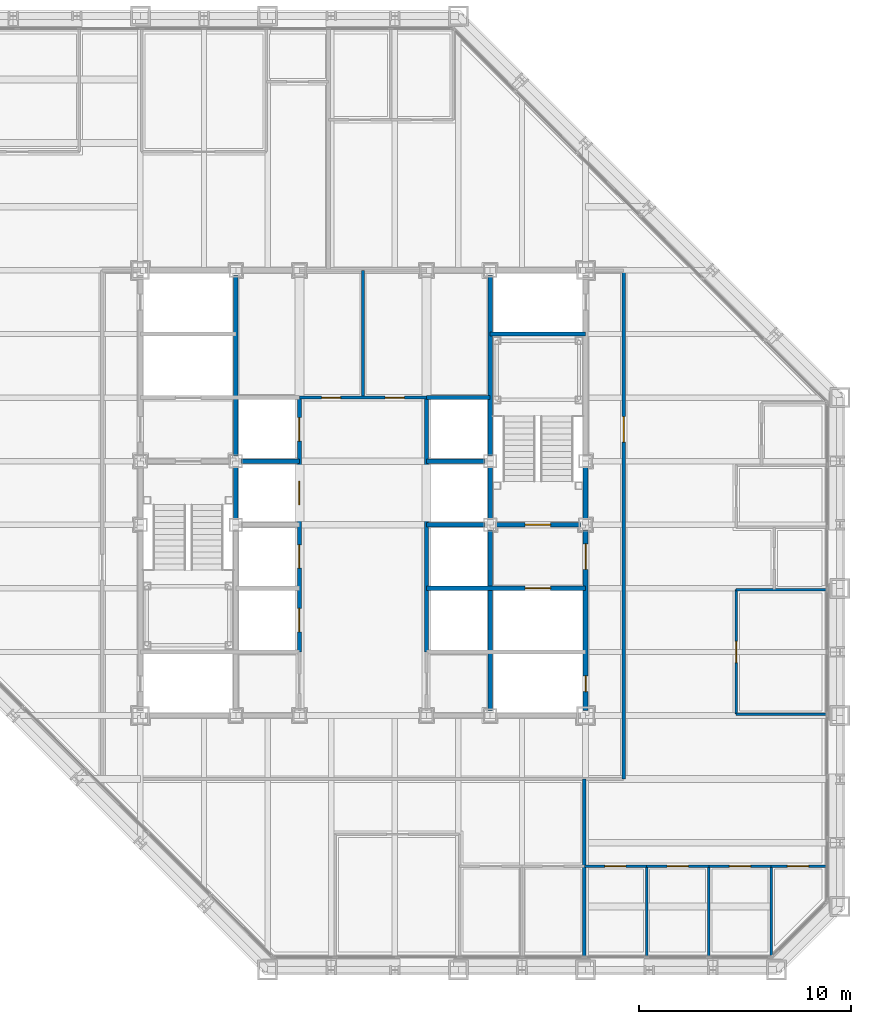
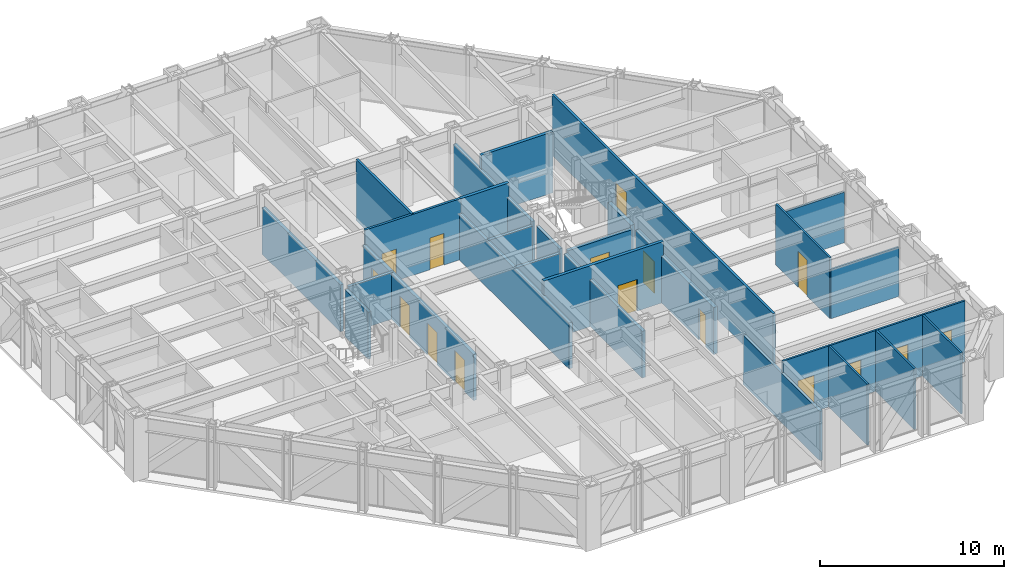
# One storey, part 11 of 16: 30 walls, 16 doors, 16 openings.
"""IFC4 building model written with IfcOpenShell, lengths in metres."""

from ifc_helpers import new_model, si_unit, direction, frame, frame_2d, origin, place, context, subcontext, project, spatial, rectangle, extrude, material, layer, layer_set, type_object, element, fill, save


model = new_model("IFC4")

# Units and contexts
model_context = context("Model", 3, precision=1e-05, world=origin(), true_north=direction((0.0, 1.0)))
body_context = subcontext(model_context, "Body", "Model", "MODEL_VIEW")
ifc_project = project(units=[si_unit("LENGTHUNIT", "METRE"), si_unit("AREAUNIT", "SQUARE_METRE"), si_unit("VOLUMEUNIT", "CUBIC_METRE"), si_unit("PLANEANGLEUNIT", "RADIAN"), si_unit("MASSUNIT", "GRAM", prefix="KILO")], contexts=[model_context])

# Site, building, storey
site_placement = place(None, origin())
site = spatial("IfcSite", under=ifc_project, at=site_placement, CompositionType="ELEMENT")
building_placement = place(site_placement, origin())
building = spatial("IfcBuilding", under=site, at=building_placement, Name="Chuquiago Exchange Tower", CompositionType="ELEMENT")
storey_placement = place(building_placement, frame((0.0, 0.0, 157.199951171875)))
storey = spatial("IfcBuildingStorey", under=building, at=storey_placement, Name="L34", CompositionType="ELEMENT", Elevation=157.199951171875)

# Wall, openings, doors
ifc_material_1 = material(Name="Concrete masonry, fully grouted", Category="masonry")
ifc_layer_1 = layer(ifc_material_1, 0.25)
ifc_layer_set_1 = layer_set([ifc_layer_1], Name="W1 core wall 250")
wall_type_1 = type_object("IfcWallType", Name="W1 core wall 250", PredefinedType="SOLIDWALL", material=ifc_layer_set_1)
wall_1_placement = place(storey_placement, frame((33.0, 12.25, 0.0), z_axis=(0.0, 0.0, 1.0), x_axis=(0.0, 1.0, 0.0)))
wall_1 = element("IfcWall", 1, at=wall_1_placement, inside=storey, type_object=wall_type_1, Name="CW-L34-25-0", PredefinedType="SOLIDWALL", context=body_context, shape_type="SweptSolid", body=[
    extrude(rectangle(XDim=8.5, YDim=0.25, at=frame_2d((4.25, 0.0))), origin(), (0.0, 0.0, 1.0), 3.113037109375),
])
opening_1_placement = place(wall_1_placement, frame((6.64990234375, 0.0, 0.0)))
opening_1 = element("IfcOpeningElement", 2, at=opening_1_placement, cuts=wall_1, Name="Opening L34-004", PredefinedType="OPENING", context=body_context, shape_type="SweptSolid", body=[
    extrude(rectangle(XDim=1.199951171875, YDim=2.10009765625, at=frame_2d((0.60009765625, 1.050048828125))), frame((0.0, 0.135009765625, 0.0), z_axis=(0.0, -1.0, 0.0), x_axis=(1.0, 0.0, 0.0)), (0.0, 0.0, 1.0), 0.27001953125),
])
opening_2_placement = place(wall_1_placement, frame((0.875, 0.0, 0.0)))
opening_2 = element("IfcOpeningElement", 3, at=opening_2_placement, cuts=wall_1, Name="Opening L34-009", PredefinedType="OPENING", context=body_context, shape_type="SweptSolid", body=[
    extrude(rectangle(XDim=0.75, YDim=2.10009765625, at=frame_2d((0.375, 1.050048828125))), frame((0.0, 0.135009765625, 0.0), z_axis=(0.0, -1.0, 0.0), x_axis=(1.0, 0.0, 0.0)), (0.0, 0.0, 1.0), 0.27001953125),
])
ifc_material_2 = material(Name="Steel door, painted", Category="steel")
door_type_1 = type_object("IfcDoorType", Name="D5 firefighting lobby door 1200x2100", OperationType="SINGLE_SWING_LEFT", PredefinedType="DOOR", material=ifc_material_2)
door_1_placement = place(opening_1_placement, origin())
door_1 = element("IfcDoor", 4, at=door_1_placement, inside=storey, type_object=door_type_1, Name="Firefighting lobby 2 door", OperationType="SINGLE_SWING_RIGHT", OverallHeight=2.10009765625, OverallWidth=1.199951171875, PredefinedType="DOOR", context=body_context, shape_type="SweptSolid", body=[
    extrude(rectangle(XDim=1.199951171875, YDim=2.10009765625, at=frame_2d((0.60009765625, 1.050048828125))), frame((0.0, 0.02490234375, 0.0), z_axis=(0.0, -1.0, 0.0), x_axis=(1.0, 0.0, 0.0)), (0.0, 0.0, 1.0), 0.050048828125),
])
fill(opening_1, door_1)
ifc_material_3 = material(Name="Steel door, painted", Category="steel")
door_type_2 = type_object("IfcDoorType", Name="D6 riser access door 750x2100", OperationType="SINGLE_SWING_LEFT", PredefinedType="DOOR", material=ifc_material_3)
door_2_placement = place(opening_2_placement, origin())
door_2 = element("IfcDoor", 5, at=door_2_placement, inside=storey, type_object=door_type_2, Name="Riser RE1 door", OperationType="SINGLE_SWING_LEFT", OverallHeight=2.10009765625, OverallWidth=0.75, PredefinedType="DOOR", context=body_context, shape_type="SweptSolid", body=[
    extrude(rectangle(XDim=0.75, YDim=2.10009765625, at=frame_2d((0.375, 1.050048828125))), frame((0.0, 0.02490234375, 0.0), z_axis=(0.0, -1.0, 0.0), x_axis=(1.0, 0.0, 0.0)), (0.0, 0.0, 1.0), 0.050048828125),
])
fill(opening_2, door_2)

# Wall
wall_2_placement = place(storey_placement, frame((33.0, 21.25, 0.0), z_axis=(0.0, 0.0, 1.0), x_axis=(0.0, 1.0, 0.0)))
element("IfcWall", 6, at=wall_2_placement, inside=storey, type_object=wall_type_1, Name="CW-L34-25-1", PredefinedType="SOLIDWALL", context=body_context, shape_type="SweptSolid", body=[
    extrude(rectangle(XDim=2.5, YDim=0.25, at=frame_2d((1.25, 0.0))), origin(), (0.0, 0.0, 1.0), 3.113037109375),
])

# Wall, opening, door
ifc_material_4 = material(Name="Gypsum board on steel studs, acoustic insulation", Category="steel")
ifc_layer_2 = layer(ifc_material_4, 0.14990234375)
ifc_layer_set_2 = layer_set([ifc_layer_2], Name="W11 corridor wall 150")
wall_type_2 = type_object("IfcWallType", Name="W11 corridor wall 150", PredefinedType="PARTITIONING", material=ifc_layer_set_2)
wall_3_placement = place(storey_placement, frame((34.800048828125, 9.0, 0.0), z_axis=(0.0, 0.0, 1.0), x_axis=(0.0, 1.0, 0.0)))
wall_3 = element("IfcWall", 7, at=wall_3_placement, inside=storey, type_object=wall_type_2, Name="PW-L34-CE", PredefinedType="PARTITIONING", context=body_context, shape_type="SweptSolid", body=[
    extrude(rectangle(XDim=24.0, YDim=0.14990234375, at=frame_2d((12.0, 0.0))), origin(), (0.0, 0.0, 1.0), 4.0400390625),
])
opening_3_placement = place(wall_3_placement, frame((15.89990234375, 0.0, 0.0)))
opening_3 = element("IfcOpeningElement", 8, at=opening_3_placement, cuts=wall_3, Name="Opening L34-041", PredefinedType="OPENING", context=body_context, shape_type="SweptSolid", body=[
    extrude(rectangle(XDim=1.199951171875, YDim=2.39990234375, at=frame_2d((0.60009765625, 1.199951171875))), frame((0.0, 0.0849609375, 0.0), z_axis=(0.0, -1.0, 0.0), x_axis=(1.0, 0.0, 0.0)), (0.0, 0.0, 1.0), 0.169921875),
])
ifc_material_5 = material(Name="Timber door, laminate faced", Category="wood")
door_type_3 = type_object("IfcDoorType", Name="D13 suite entrance door 1200x2400", OperationType="SINGLE_SWING_LEFT", PredefinedType="DOOR", material=ifc_material_5)
door_3_placement = place(opening_3_placement, frame((1.199951171875, 0.0, 0.0), z_axis=(0.0, 0.0, 1.0), x_axis=(-1.0, 0.0, 0.0)))
door_3 = element("IfcDoor", 9, at=door_3_placement, inside=storey, type_object=door_type_3, Name="East suite entrance door", OperationType="SINGLE_SWING_LEFT", OverallHeight=2.39990234375, OverallWidth=1.199951171875, PredefinedType="DOOR", context=body_context, shape_type="SweptSolid", body=[
    extrude(rectangle(XDim=1.199951171875, YDim=2.39990234375, at=frame_2d((0.60009765625, 1.199951171875))), frame((0.0, 0.02490234375, 0.0), z_axis=(0.0, -1.0, 0.0), x_axis=(1.0, 0.0, 0.0)), (0.0, 0.0, 1.0), 0.050048828125),
])
fill(opening_3, door_3)

# Walls
ifc_material_6 = material(Name="Gypsum board on twin steel studs, acoustic insulation", Category="steel")
ifc_layer_3 = layer(ifc_material_6, 0.175048828125)
ifc_layer_set_3 = layer_set([ifc_layer_3], Name="W12 tenant demising wall 175")
wall_type_3 = type_object("IfcWallType", Name="W12 tenant demising wall 175", PredefinedType="PARTITIONING", material=ifc_layer_set_3)
wall_4_placement = place(storey_placement, frame((32.93798828125, 0.652587890625, 0.0), z_axis=(0.0, 0.0, 1.0), x_axis=(0.0, 1.0, 0.0)))
element("IfcWall", 10, at=wall_4_placement, inside=storey, type_object=wall_type_3, Name="PW-L34-DS03294", PredefinedType="PARTITIONING", context=body_context, shape_type="SweptSolid", body=[
    extrude(rectangle(XDim=8.347412109375, YDim=0.175048828125, at=frame_2d((4.173828125, 0.0))), origin(), (0.0, 0.0, 1.0), 3.2705078125),
])
ifc_material_7 = material(Name="Concrete masonry, fully grouted", Category="masonry")
ifc_layer_4 = layer(ifc_material_7, 0.199951171875)
ifc_layer_set_4 = layer_set([ifc_layer_4], Name="W2 shaft wall 200")
wall_type_4 = type_object("IfcWallType", Name="W2 shaft wall 200", PredefinedType="SOLIDWALL", material=ifc_layer_set_4)
for number, where, z_axis, x_axis, name in (
    (11, (16.75, 24.0, 0.0), (0.0, 0.0, 1.0), (1.0, 0.0, 0.0), "CW-L34-05-1"),
    (12, (25.5, 24.0, 0.0), (0.0, 0.0, 1.0), (1.0, 0.0, 0.0), "CW-L34-06-0"),
):
    element("IfcWall", number, at=place(storey_placement, frame(where, z_axis=z_axis, x_axis=x_axis)), inside=storey, type_object=wall_type_4, Name=name, PredefinedType="SOLIDWALL", context=body_context, shape_type="SweptSolid", body=[
        extrude(rectangle(XDim=2.75, YDim=0.199951171875, at=frame_2d((1.375, 0.0))), origin(), (0.0, 0.0, 1.0), 3.090087890625),
    ])
wall_5_placement = place(storey_placement, frame((25.5, 27.0, 0.0), z_axis=(0.0, 0.0, 1.0), x_axis=(1.0, 0.0, 0.0)))
element("IfcWall", 13, at=wall_5_placement, inside=storey, type_object=wall_type_4, Name="CW-L34-08-0", PredefinedType="SOLIDWALL", context=body_context, shape_type="SweptSolid", body=[
    extrude(rectangle(XDim=3.0, YDim=0.199951171875, at=frame_2d((1.5, 0.0))), origin(), (0.0, 0.0, 1.0), 4.0400390625),
])
wall_6_placement = place(storey_placement, frame((28.5, 30.0, 0.0), z_axis=(0.0, 0.0, 1.0), x_axis=(1.0, 0.0, 0.0)))
element("IfcWall", 14, at=wall_6_placement, inside=storey, type_object=wall_type_4, Name="CW-L34-10-0", PredefinedType="SOLIDWALL", context=body_context, shape_type="SweptSolid", body=[
    extrude(rectangle(XDim=4.5, YDim=0.199951171875, at=frame_2d((2.25, 0.0))), origin(), (0.0, 0.0, 1.0), 4.0400390625),
])
wall_7_placement = place(storey_placement, frame((16.5, 21.25, 0.0), z_axis=(0.0, 0.0, 1.0), x_axis=(0.0, 1.0, 0.0)))
element("IfcWall", 15, at=wall_7_placement, inside=storey, type_object=wall_type_4, Name="CW-L34-13-1", PredefinedType="SOLIDWALL", context=body_context, shape_type="SweptSolid", body=[
    extrude(rectangle(XDim=2.5, YDim=0.199951171875, at=frame_2d((1.25, 0.0))), origin(), (0.0, 0.0, 1.0), 3.113037109375),
])
wall_8_placement = place(storey_placement, frame((16.5, 24.25, 0.0), z_axis=(0.0, 0.0, 1.0), x_axis=(0.0, 1.0, 0.0)))
element("IfcWall", 16, at=wall_8_placement, inside=storey, type_object=wall_type_4, Name="CW-L34-13-2", PredefinedType="SOLIDWALL", context=body_context, shape_type="SweptSolid", body=[
    extrude(rectangle(XDim=8.5, YDim=0.199951171875, at=frame_2d((4.25, 0.0))), origin(), (0.0, 0.0, 1.0), 3.113037109375),
])

# Wall, opening, door
wall_9_placement = place(storey_placement, frame((25.5, 18.0, 0.0), z_axis=(0.0, 0.0, 1.0), x_axis=(1.0, 0.0, 0.0)))
wall_9 = element("IfcWall", 17, at=wall_9_placement, inside=storey, type_object=wall_type_4, Name="CW-L34-15-0", PredefinedType="SOLIDWALL", context=body_context, shape_type="SweptSolid", body=[
    extrude(rectangle(XDim=7.5, YDim=0.199951171875, at=frame_2d((3.75, 0.0))), origin(), (0.0, 0.0, 1.0), 4.0400390625),
])
opening_4_placement = place(wall_9_placement, frame((4.64990234375, 0.0, 0.0)))
opening_4 = element("IfcOpeningElement", 18, at=opening_4_placement, cuts=wall_9, Name="Opening L34-006", PredefinedType="OPENING", context=body_context, shape_type="SweptSolid", body=[
    extrude(rectangle(XDim=1.199951171875, YDim=2.10009765625, at=frame_2d((0.60009765625, 1.050048828125))), frame((0.0, 0.10986328125, 0.0), z_axis=(0.0, -1.0, 0.0), x_axis=(1.0, 0.0, 0.0)), (0.0, 0.0, 1.0), 0.219970703125),
])
ifc_material_8 = material(Name="Stainless steel lift landing door", Category="steel")
door_type_4 = type_object("IfcDoorType", Name="LD2 firefighting lift landing door 1200x2100", OperationType="DOUBLE_DOOR_SLIDING", PredefinedType="DOOR", material=ifc_material_8)
door_4_placement = place(opening_4_placement, origin())
door_4 = element("IfcDoor", 19, at=door_4_placement, inside=storey, type_object=door_type_4, Name="Firefighting lift FL2 landing door", OperationType="DOUBLE_DOOR_SLIDING", OverallHeight=2.10009765625, OverallWidth=1.199951171875, PredefinedType="DOOR", context=body_context, shape_type="SweptSolid", body=[
    extrude(rectangle(XDim=1.199951171875, YDim=2.10009765625, at=frame_2d((0.60009765625, 1.050048828125))), frame((0.0, 0.02490234375, 0.0), z_axis=(0.0, -1.0, 0.0), x_axis=(1.0, 0.0, 0.0)), (0.0, 0.0, 1.0), 0.050048828125),
])
fill(opening_4, door_4)

# Wall
wall_10_placement = place(storey_placement, frame((25.5, 21.0, 0.0), z_axis=(0.0, 0.0, 1.0), x_axis=(1.0, 0.0, 0.0)))
element("IfcWall", 20, at=wall_10_placement, inside=storey, type_object=wall_type_4, Name="CW-L34-17-0", PredefinedType="SOLIDWALL", context=body_context, shape_type="SweptSolid", body=[
    extrude(rectangle(XDim=2.75, YDim=0.199951171875, at=frame_2d((1.375, 0.0))), origin(), (0.0, 0.0, 1.0), 3.090087890625),
])

# Wall, opening, door
wall_11_placement = place(storey_placement, frame((28.75, 21.0, 0.0), z_axis=(0.0, 0.0, 1.0), x_axis=(1.0, 0.0, 0.0)))
wall_11 = element("IfcWall", 21, at=wall_11_placement, inside=storey, type_object=wall_type_4, Name="CW-L34-17-1", PredefinedType="SOLIDWALL", context=body_context, shape_type="SweptSolid", body=[
    extrude(rectangle(XDim=4.0, YDim=0.199951171875, at=frame_2d((2.0, 0.0))), origin(), (0.0, 0.0, 1.0), 3.090087890625),
])
opening_5_placement = place(wall_11_placement, frame((1.39990234375, 0.0, 0.0)))
opening_5 = element("IfcOpeningElement", 22, at=opening_5_placement, cuts=wall_11, Name="Opening L34-003", PredefinedType="OPENING", context=body_context, shape_type="SweptSolid", body=[
    extrude(rectangle(XDim=1.199951171875, YDim=2.10009765625, at=frame_2d((0.60009765625, 1.050048828125))), frame((0.0, 0.10986328125, 0.0), z_axis=(0.0, -1.0, 0.0), x_axis=(1.0, 0.0, 0.0)), (0.0, 0.0, 1.0), 0.219970703125),
])
ifc_material_9 = material(Name="Steel door, painted", Category="steel")
door_type_5 = type_object("IfcDoorType", Name="D4 stair door 1200x2100", OperationType="SINGLE_SWING_LEFT", PredefinedType="DOOR", material=ifc_material_9)
door_5_placement = place(opening_5_placement, origin())
door_5 = element("IfcDoor", 23, at=door_5_placement, inside=storey, type_object=door_type_5, Name="Stair ST2 door", OperationType="SINGLE_SWING_LEFT", OverallHeight=2.10009765625, OverallWidth=1.199951171875, PredefinedType="DOOR", context=body_context, shape_type="SweptSolid", body=[
    extrude(rectangle(XDim=1.199951171875, YDim=2.10009765625, at=frame_2d((0.60009765625, 1.050048828125))), frame((0.0, 0.02490234375, 0.0), z_axis=(0.0, -1.0, 0.0), x_axis=(1.0, 0.0, 0.0)), (0.0, 0.0, 1.0), 0.050048828125),
])
fill(opening_5, door_5)

# Wall, openings, doors
wall_12_placement = place(storey_placement, frame((19.5, 15.0, 0.0), z_axis=(0.0, 0.0, 1.0), x_axis=(0.0, 1.0, 0.0)))
wall_12 = element("IfcWall", 24, at=wall_12_placement, inside=storey, type_object=wall_type_4, Name="CW-L34-19-0", PredefinedType="SOLIDWALL", context=body_context, shape_type="SweptSolid", body=[
    extrude(rectangle(XDim=12.0, YDim=0.199951171875, at=frame_2d((6.0, 0.0))), origin(), (0.0, 0.0, 1.0), 3.064697265625),
])
opening_6_placement = place(wall_12_placement, frame((0.949951171875, 0.0, 0.0)))
opening_6 = element("IfcOpeningElement", 25, at=opening_6_placement, cuts=wall_12, Name="Opening L34-015", PredefinedType="OPENING", context=body_context, shape_type="SweptSolid", body=[
    extrude(rectangle(XDim=1.10009765625, YDim=2.10009765625, at=frame_2d((0.550048828125, 1.050048828125))), frame((0.0, 0.10986328125, 0.0), z_axis=(0.0, -1.0, 0.0), x_axis=(1.0, 0.0, 0.0)), (0.0, 0.0, 1.0), 0.219970703125),
])
opening_7_placement = place(wall_12_placement, frame((3.949951171875, 0.0, 0.0)))
opening_7 = element("IfcOpeningElement", 26, at=opening_7_placement, cuts=wall_12, Name="Opening L34-016", PredefinedType="OPENING", context=body_context, shape_type="SweptSolid", body=[
    extrude(rectangle(XDim=1.10009765625, YDim=2.10009765625, at=frame_2d((0.550048828125, 1.050048828125))), frame((0.0, 0.10986328125, 0.0), z_axis=(0.0, -1.0, 0.0), x_axis=(1.0, 0.0, 0.0)), (0.0, 0.0, 1.0), 0.219970703125),
])
opening_8_placement = place(wall_12_placement, frame((6.949951171875, 0.0, 0.0)))
opening_8 = element("IfcOpeningElement", 27, at=opening_8_placement, cuts=wall_12, Name="Opening L34-017", PredefinedType="OPENING", context=body_context, shape_type="SweptSolid", body=[
    extrude(rectangle(XDim=1.10009765625, YDim=2.10009765625, at=frame_2d((0.550048828125, 1.050048828125))), frame((0.0, 0.10986328125, 0.0), z_axis=(0.0, -1.0, 0.0), x_axis=(1.0, 0.0, 0.0)), (0.0, 0.0, 1.0), 0.219970703125),
])
opening_9_placement = place(wall_12_placement, frame((9.949951171875, 0.0, 0.0)))
opening_9 = element("IfcOpeningElement", 28, at=opening_9_placement, cuts=wall_12, Name="Opening L34-018", PredefinedType="OPENING", context=body_context, shape_type="SweptSolid", body=[
    extrude(rectangle(XDim=1.10009765625, YDim=2.10009765625, at=frame_2d((0.550048828125, 1.050048828125))), frame((0.0, 0.10986328125, 0.0), z_axis=(0.0, -1.0, 0.0), x_axis=(1.0, 0.0, 0.0)), (0.0, 0.0, 1.0), 0.219970703125),
])
ifc_material_10 = material(Name="Stainless steel lift landing door", Category="steel")
door_type_6 = type_object("IfcDoorType", Name="LD1 lift landing door 1100x2100", OperationType="DOUBLE_DOOR_SLIDING", PredefinedType="DOOR", material=ifc_material_10)
door_6_placement = place(opening_6_placement, origin())
door_6 = element("IfcDoor", 29, at=door_6_placement, inside=storey, type_object=door_type_6, Name="Lift LB1 landing door", OperationType="DOUBLE_DOOR_SLIDING", OverallHeight=2.10009765625, OverallWidth=1.10009765625, PredefinedType="DOOR", context=body_context, shape_type="SweptSolid", body=[
    extrude(rectangle(XDim=1.10009765625, YDim=2.10009765625, at=frame_2d((0.550048828125, 1.050048828125))), frame((0.0, 0.02490234375, 0.0), z_axis=(0.0, -1.0, 0.0), x_axis=(1.0, 0.0, 0.0)), (0.0, 0.0, 1.0), 0.050048828125),
])
fill(opening_6, door_6)
door_7_placement = place(opening_7_placement, origin())
door_7 = element("IfcDoor", 30, at=door_7_placement, inside=storey, type_object=door_type_6, Name="Lift LB2 landing door", OperationType="DOUBLE_DOOR_SLIDING", OverallHeight=2.10009765625, OverallWidth=1.10009765625, PredefinedType="DOOR", context=body_context, shape_type="SweptSolid", body=[
    extrude(rectangle(XDim=1.10009765625, YDim=2.10009765625, at=frame_2d((0.550048828125, 1.050048828125))), frame((0.0, 0.02490234375, 0.0), z_axis=(0.0, -1.0, 0.0), x_axis=(1.0, 0.0, 0.0)), (0.0, 0.0, 1.0), 0.050048828125),
])
fill(opening_7, door_7)
door_8_placement = place(opening_8_placement, origin())
door_8 = element("IfcDoor", 31, at=door_8_placement, inside=storey, type_object=door_type_6, Name="Lift LB3 landing door", OperationType="DOUBLE_DOOR_SLIDING", OverallHeight=2.10009765625, OverallWidth=1.10009765625, PredefinedType="DOOR", context=body_context, shape_type="SweptSolid", body=[
    extrude(rectangle(XDim=1.10009765625, YDim=2.10009765625, at=frame_2d((0.550048828125, 1.050048828125))), frame((0.0, 0.02490234375, 0.0), z_axis=(0.0, -1.0, 0.0), x_axis=(1.0, 0.0, 0.0)), (0.0, 0.0, 1.0), 0.050048828125),
])
fill(opening_8, door_8)
door_9_placement = place(opening_9_placement, origin())
door_9 = element("IfcDoor", 32, at=door_9_placement, inside=storey, type_object=door_type_6, Name="Lift LB4 landing door", OperationType="DOUBLE_DOOR_SLIDING", OverallHeight=2.10009765625, OverallWidth=1.10009765625, PredefinedType="DOOR", context=body_context, shape_type="SweptSolid", body=[
    extrude(rectangle(XDim=1.10009765625, YDim=2.10009765625, at=frame_2d((0.550048828125, 1.050048828125))), frame((0.0, 0.02490234375, 0.0), z_axis=(0.0, -1.0, 0.0), x_axis=(1.0, 0.0, 0.0)), (0.0, 0.0, 1.0), 0.050048828125),
])
fill(opening_9, door_9)

# Walls
wall_13_placement = place(storey_placement, frame((25.5, 15.0, 0.0), z_axis=(0.0, 0.0, 1.0), x_axis=(0.0, 1.0, 0.0)))
element("IfcWall", 33, at=wall_13_placement, inside=storey, type_object=wall_type_4, Name="CW-L34-22-0", PredefinedType="SOLIDWALL", context=body_context, shape_type="SweptSolid", body=[
    extrude(rectangle(XDim=12.0, YDim=0.199951171875, at=frame_2d((6.0, 0.0))), origin(), (0.0, 0.0, 1.0), 3.064697265625),
])
wall_14_placement = place(storey_placement, frame((28.5, 12.25, 0.0), z_axis=(0.0, 0.0, 1.0), x_axis=(0.0, 1.0, 0.0)))
element("IfcWall", 34, at=wall_14_placement, inside=storey, type_object=wall_type_4, Name="CW-L34-24-0", PredefinedType="SOLIDWALL", context=body_context, shape_type="SweptSolid", body=[
    extrude(rectangle(XDim=8.5, YDim=0.199951171875, at=frame_2d((4.25, 0.0))), origin(), (0.0, 0.0, 1.0), 3.113037109375),
])
wall_15_placement = place(storey_placement, frame((28.5, 21.25, 0.0), z_axis=(0.0, 0.0, 1.0), x_axis=(0.0, 1.0, 0.0)))
element("IfcWall", 35, at=wall_15_placement, inside=storey, type_object=wall_type_4, Name="CW-L34-24-1", PredefinedType="SOLIDWALL", context=body_context, shape_type="SweptSolid", body=[
    extrude(rectangle(XDim=2.5, YDim=0.199951171875, at=frame_2d((1.25, 0.0))), origin(), (0.0, 0.0, 1.0), 3.113037109375),
])
wall_16_placement = place(storey_placement, frame((28.5, 24.25, 0.0), z_axis=(0.0, 0.0, 1.0), x_axis=(0.0, 1.0, 0.0)))
element("IfcWall", 36, at=wall_16_placement, inside=storey, type_object=wall_type_4, Name="CW-L34-24-2", PredefinedType="SOLIDWALL", context=body_context, shape_type="SweptSolid", body=[
    extrude(rectangle(XDim=8.5, YDim=0.199951171875, at=frame_2d((4.25, 0.0))), origin(), (0.0, 0.0, 1.0), 3.113037109375),
])

# Wall, openings, doors
ifc_material_11 = material(Name="Gypsum board on steel studs", Category="steel")
ifc_layer_5 = layer(ifc_material_11, 0.14990234375)
ifc_layer_set_5 = layer_set([ifc_layer_5], Name="W3 core partition 150")
wall_type_5 = type_object("IfcWallType", Name="W3 core partition 150", PredefinedType="PARTITIONING", material=ifc_layer_set_5)
wall_17_placement = place(storey_placement, frame((19.5, 27.0, 0.0), z_axis=(0.0, 0.0, 1.0), x_axis=(1.0, 0.0, 0.0)))
wall_17 = element("IfcWall", 37, at=wall_17_placement, inside=storey, type_object=wall_type_5, Name="CW-L34-TF", PredefinedType="PARTITIONING", context=body_context, shape_type="SweptSolid", body=[
    extrude(rectangle(XDim=6.0, YDim=0.14990234375, at=frame_2d((3.0, 0.0))), origin(), (0.0, 0.0, 1.0), 4.0400390625),
])
opening_10_placement = place(wall_17_placement, frame((1.050048828125, 0.0, 0.0)))
opening_10 = element("IfcOpeningElement", 38, at=opening_10_placement, cuts=wall_17, Name="Opening L34-011", PredefinedType="OPENING", context=body_context, shape_type="SweptSolid", body=[
    extrude(rectangle(XDim=0.89990234375, YDim=2.10009765625, at=frame_2d((0.449951171875, 1.050048828125))), frame((0.0, 0.0849609375, 0.0), z_axis=(0.0, -1.0, 0.0), x_axis=(1.0, 0.0, 0.0)), (0.0, 0.0, 1.0), 0.169921875),
])
opening_11_placement = place(wall_17_placement, frame((4.050048828125, 0.0, 0.0)))
opening_11 = element("IfcOpeningElement", 39, at=opening_11_placement, cuts=wall_17, Name="Opening L34-012", PredefinedType="OPENING", context=body_context, shape_type="SweptSolid", body=[
    extrude(rectangle(XDim=0.89990234375, YDim=2.10009765625, at=frame_2d((0.449951171875, 1.050048828125))), frame((0.0, 0.0849609375, 0.0), z_axis=(0.0, -1.0, 0.0), x_axis=(1.0, 0.0, 0.0)), (0.0, 0.0, 1.0), 0.169921875),
])
ifc_material_12 = material(Name="Timber door, laminate faced", Category="wood")
door_type_7 = type_object("IfcDoorType", Name="D7 toilet door 900x2100", OperationType="SINGLE_SWING_LEFT", PredefinedType="DOOR", material=ifc_material_12)
door_10_placement = place(opening_10_placement, origin())
door_10 = element("IfcDoor", 40, at=door_10_placement, inside=storey, type_object=door_type_7, Name="Male WC door", OperationType="SINGLE_SWING_RIGHT", OverallHeight=2.10009765625, OverallWidth=0.89990234375, PredefinedType="DOOR", context=body_context, shape_type="SweptSolid", body=[
    extrude(rectangle(XDim=0.89990234375, YDim=2.10009765625, at=frame_2d((0.449951171875, 1.050048828125))), frame((0.0, 0.02490234375, 0.0), z_axis=(0.0, -1.0, 0.0), x_axis=(1.0, 0.0, 0.0)), (0.0, 0.0, 1.0), 0.050048828125),
])
fill(opening_10, door_10)
door_11_placement = place(opening_11_placement, origin())
door_11 = element("IfcDoor", 41, at=door_11_placement, inside=storey, type_object=door_type_7, Name="Female WC door", OperationType="SINGLE_SWING_LEFT", OverallHeight=2.10009765625, OverallWidth=0.89990234375, PredefinedType="DOOR", context=body_context, shape_type="SweptSolid", body=[
    extrude(rectangle(XDim=0.89990234375, YDim=2.10009765625, at=frame_2d((0.449951171875, 1.050048828125))), frame((0.0, 0.02490234375, 0.0), z_axis=(0.0, -1.0, 0.0), x_axis=(1.0, 0.0, 0.0)), (0.0, 0.0, 1.0), 0.050048828125),
])
fill(opening_11, door_11)

# Walls
wall_18_placement = place(storey_placement, frame((22.5, 27.0, 0.0), z_axis=(0.0, 0.0, 1.0), x_axis=(0.0, 1.0, 0.0)))
element("IfcWall", 42, at=wall_18_placement, inside=storey, type_object=wall_type_5, Name="CW-L34-TM", PredefinedType="PARTITIONING", context=body_context, shape_type="SweptSolid", body=[
    extrude(rectangle(XDim=6.0, YDim=0.14990234375, at=frame_2d((3.0, 0.0))), origin(), (0.0, 0.0, 1.0), 4.0400390625),
])
ifc_material_13 = material(Name="Gypsum board on steel studs", Category="steel")
ifc_layer_6 = layer(ifc_material_13, 0.1201171875)
ifc_layer_set_6 = layer_set([ifc_layer_6], Name="W4 partition 120")
wall_type_6 = type_object("IfcWallType", Name="W4 partition 120", PredefinedType="PARTITIONING", material=ifc_layer_set_6)
for number, where, z_axis, x_axis, name in (
    (43, (35.875732421875, 0.652587890625, 0.0), (0.0, 0.0, 1.0), (0.0, 1.0, 0.0), "PW-L34-S03588"),
    (44, (38.813720703125, 0.652587890625, 0.0), (0.0, 0.0, 1.0), (0.0, 1.0, 0.0), "PW-L34-S03881"),
):
    element("IfcWall", number, at=place(storey_placement, frame(where, z_axis=z_axis, x_axis=x_axis)), inside=storey, type_object=wall_type_6, Name=name, PredefinedType="PARTITIONING", context=body_context, shape_type="SweptSolid", body=[
        extrude(rectangle(XDim=4.247314453125, YDim=0.1201171875, at=frame_2d((2.12353515625, 0.0))), origin(), (0.0, 0.0, 1.0), 4.0400390625),
    ])
wall_19_placement = place(storey_placement, frame((41.75146484375, 0.666015625, 0.0), z_axis=(0.0, 0.0, 1.0), x_axis=(0.0, 1.0, 0.0)))
element("IfcWall", 45, at=wall_19_placement, inside=storey, type_object=wall_type_6, Name="PW-L34-S04175", PredefinedType="PARTITIONING", context=body_context, shape_type="SweptSolid", body=[
    extrude(rectangle(XDim=4.23388671875, YDim=0.1201171875, at=frame_2d((2.116943359375, 0.0))), origin(), (0.0, 0.0, 1.0), 4.0400390625),
])

# Wall, opening, door
wall_20_placement = place(storey_placement, frame((32.93798828125, 4.89990234375, 0.0), z_axis=(0.0, 0.0, 1.0), x_axis=(1.0, 0.0, 0.0)))
wall_20 = element("IfcWall", 46, at=wall_20_placement, inside=storey, type_object=wall_type_6, Name="PW-L34-SF03294", PredefinedType="PARTITIONING", context=body_context, shape_type="SweptSolid", body=[
    extrude(rectangle(XDim=2.937744140625, YDim=0.1201171875, at=frame_2d((1.46875, 0.0))), origin(), (0.0, 0.0, 1.0), 4.0400390625),
])
opening_12_placement = place(wall_20_placement, frame((0.968994140625, 0.0, 0.0)))
opening_12 = element("IfcOpeningElement", 47, at=opening_12_placement, cuts=wall_20, Name="Opening L34-022", PredefinedType="OPENING", context=body_context, shape_type="SweptSolid", body=[
    extrude(rectangle(XDim=1.0, YDim=2.39990234375, at=frame_2d((0.5, 1.199951171875))), frame((0.0, 0.070068359375, 0.0), z_axis=(0.0, -1.0, 0.0), x_axis=(1.0, 0.0, 0.0)), (0.0, 0.0, 1.0), 0.14013671875),
])
ifc_material_14 = material(Name="Timber door, laminate faced", Category="wood")
door_type_8 = type_object("IfcDoorType", Name="D9 room door 1000x2400", OperationType="SINGLE_SWING_LEFT", PredefinedType="DOOR", material=ifc_material_14)
door_12_placement = place(opening_12_placement, frame((1.0, 0.0, 0.0), z_axis=(0.0, 0.0, 1.0), x_axis=(-1.0, 0.0, 0.0)))
door_12 = element("IfcDoor", 48, at=door_12_placement, inside=storey, type_object=door_type_8, Name="Office door", OperationType="SINGLE_SWING_RIGHT", OverallHeight=2.39990234375, OverallWidth=1.0, PredefinedType="DOOR", context=body_context, shape_type="SweptSolid", body=[
    extrude(rectangle(XDim=1.0, YDim=2.39990234375, at=frame_2d((0.5, 1.199951171875))), frame((0.0, 0.02490234375, 0.0), z_axis=(0.0, -1.0, 0.0), x_axis=(1.0, 0.0, 0.0)), (0.0, 0.0, 1.0), 0.050048828125),
])
fill(opening_12, door_12)

wall_21_placement = place(storey_placement, frame((35.875732421875, 4.89990234375, 0.0), z_axis=(0.0, 0.0, 1.0), x_axis=(1.0, 0.0, 0.0)))
wall_21 = element("IfcWall", 49, at=wall_21_placement, inside=storey, type_object=wall_type_6, Name="PW-L34-SF03588", PredefinedType="PARTITIONING", context=body_context, shape_type="SweptSolid", body=[
    extrude(rectangle(XDim=2.93798828125, YDim=0.1201171875, at=frame_2d((1.468994140625, 0.0))), origin(), (0.0, 0.0, 1.0), 4.0400390625),
])
opening_13_placement = place(wall_21_placement, frame((0.968994140625, 0.0, 0.0)))
opening_13 = element("IfcOpeningElement", 50, at=opening_13_placement, cuts=wall_21, Name="Opening L34-023", PredefinedType="OPENING", context=body_context, shape_type="SweptSolid", body=[
    extrude(rectangle(XDim=1.0, YDim=2.39990234375, at=frame_2d((0.5, 1.199951171875))), frame((0.0, 0.070068359375, 0.0), z_axis=(0.0, -1.0, 0.0), x_axis=(1.0, 0.0, 0.0)), (0.0, 0.0, 1.0), 0.14013671875),
])
door_13_placement = place(opening_13_placement, frame((1.0, 0.0, 0.0), z_axis=(0.0, 0.0, 1.0), x_axis=(-1.0, 0.0, 0.0)))
door_13 = element("IfcDoor", 51, at=door_13_placement, inside=storey, type_object=door_type_8, Name="Office door", OperationType="SINGLE_SWING_RIGHT", OverallHeight=2.39990234375, OverallWidth=1.0, PredefinedType="DOOR", context=body_context, shape_type="SweptSolid", body=[
    extrude(rectangle(XDim=1.0, YDim=2.39990234375, at=frame_2d((0.5, 1.199951171875))), frame((0.0, 0.02490234375, 0.0), z_axis=(0.0, -1.0, 0.0), x_axis=(1.0, 0.0, 0.0)), (0.0, 0.0, 1.0), 0.050048828125),
])
fill(opening_13, door_13)

wall_22_placement = place(storey_placement, frame((38.813720703125, 4.89990234375, 0.0), z_axis=(0.0, 0.0, 1.0), x_axis=(1.0, 0.0, 0.0)))
wall_22 = element("IfcWall", 52, at=wall_22_placement, inside=storey, type_object=wall_type_6, Name="PW-L34-SF03881", PredefinedType="PARTITIONING", context=body_context, shape_type="SweptSolid", body=[
    extrude(rectangle(XDim=2.937744140625, YDim=0.1201171875, at=frame_2d((1.46875, 0.0))), origin(), (0.0, 0.0, 1.0), 4.0400390625),
])
opening_14_placement = place(wall_22_placement, frame((0.968994140625, 0.0, 0.0)))
opening_14 = element("IfcOpeningElement", 53, at=opening_14_placement, cuts=wall_22, Name="Opening L34-024", PredefinedType="OPENING", context=body_context, shape_type="SweptSolid", body=[
    extrude(rectangle(XDim=1.0, YDim=2.39990234375, at=frame_2d((0.5, 1.199951171875))), frame((0.0, 0.070068359375, 0.0), z_axis=(0.0, -1.0, 0.0), x_axis=(1.0, 0.0, 0.0)), (0.0, 0.0, 1.0), 0.14013671875),
])
door_14_placement = place(opening_14_placement, frame((1.0, 0.0, 0.0), z_axis=(0.0, 0.0, 1.0), x_axis=(-1.0, 0.0, 0.0)))
door_14 = element("IfcDoor", 54, at=door_14_placement, inside=storey, type_object=door_type_8, Name="Office door", OperationType="SINGLE_SWING_RIGHT", OverallHeight=2.39990234375, OverallWidth=1.0, PredefinedType="DOOR", context=body_context, shape_type="SweptSolid", body=[
    extrude(rectangle(XDim=1.0, YDim=2.39990234375, at=frame_2d((0.5, 1.199951171875))), frame((0.0, 0.02490234375, 0.0), z_axis=(0.0, -1.0, 0.0), x_axis=(1.0, 0.0, 0.0)), (0.0, 0.0, 1.0), 0.050048828125),
])
fill(opening_14, door_14)

wall_23_placement = place(storey_placement, frame((41.75146484375, 4.89990234375, 0.0), z_axis=(0.0, 0.0, 1.0), x_axis=(1.0, 0.0, 0.0)))
wall_23 = element("IfcWall", 55, at=wall_23_placement, inside=storey, type_object=wall_type_6, Name="PW-L34-SF04175", PredefinedType="PARTITIONING", context=body_context, shape_type="SweptSolid", body=[
    extrude(rectangle(XDim=2.616455078125, YDim=0.1201171875, at=frame_2d((1.30810546875, 0.0))), origin(), (0.0, 0.0, 1.0), 4.0400390625),
])
opening_15_placement = place(wall_23_placement, frame((0.774169921875, 0.0, 0.0)))
opening_15 = element("IfcOpeningElement", 56, at=opening_15_placement, cuts=wall_23, Name="Opening L34-025", PredefinedType="OPENING", context=body_context, shape_type="SweptSolid", body=[
    extrude(rectangle(XDim=1.0, YDim=2.39990234375, at=frame_2d((0.5, 1.199951171875))), frame((0.0, 0.070068359375, 0.0), z_axis=(0.0, -1.0, 0.0), x_axis=(1.0, 0.0, 0.0)), (0.0, 0.0, 1.0), 0.14013671875),
])
ifc_material_15 = material(Name="Timber frame door, full height glazed panel", Category="wood")
door_type_9 = type_object("IfcDoorType", Name="D14 glazed meeting room door 1000x2400", OperationType="SINGLE_SWING_LEFT", PredefinedType="DOOR", material=ifc_material_15)
door_15_placement = place(opening_15_placement, frame((1.0, 0.0, 0.0), z_axis=(0.0, 0.0, 1.0), x_axis=(-1.0, 0.0, 0.0)))
door_15 = element("IfcDoor", 57, at=door_15_placement, inside=storey, type_object=door_type_9, Name="Meeting room door", OperationType="SINGLE_SWING_RIGHT", OverallHeight=2.39990234375, OverallWidth=1.0, PredefinedType="DOOR", context=body_context, shape_type="SweptSolid", body=[
    extrude(rectangle(XDim=1.0, YDim=2.39990234375, at=frame_2d((0.5, 1.199951171875))), frame((0.0, 0.02490234375, 0.0), z_axis=(0.0, -1.0, 0.0), x_axis=(1.0, 0.0, 0.0)), (0.0, 0.0, 1.0), 0.050048828125),
])
fill(opening_15, door_15)

# Walls
wall_24_placement = place(storey_placement, frame((44.347412109375, 12.06201171875, 0.0), z_axis=(0.0, 0.0, 1.0), x_axis=(-1.0, 0.0, 0.0)))
element("IfcWall", 58, at=wall_24_placement, inside=storey, type_object=wall_type_6, Name="PW-L34-E01206", PredefinedType="PARTITIONING", context=body_context, shape_type="SweptSolid", body=[
    extrude(rectangle(XDim=4.247314453125, YDim=0.1201171875, at=frame_2d((2.12353515625, 0.0))), origin(), (0.0, 0.0, 1.0), 3.2705078125),
])
wall_25_placement = place(storey_placement, frame((44.347412109375, 17.93798828125, 0.0), z_axis=(0.0, 0.0, 1.0), x_axis=(-1.0, 0.0, 0.0)))
element("IfcWall", 59, at=wall_25_placement, inside=storey, type_object=wall_type_6, Name="PW-L34-E01794", PredefinedType="PARTITIONING", context=body_context, shape_type="SweptSolid", body=[
    extrude(rectangle(XDim=4.247314453125, YDim=0.1201171875, at=frame_2d((2.12353515625, 0.0))), origin(), (0.0, 0.0, 1.0), 3.35693359375),
])

# Wall, opening, door
wall_26_placement = place(storey_placement, frame((40.10009765625, 12.06201171875, 0.0), z_axis=(0.0, 0.0, 1.0), x_axis=(0.0, 1.0, 0.0)))
wall_26 = element("IfcWall", 60, at=wall_26_placement, inside=storey, type_object=wall_type_6, Name="PW-L34-EF01206", PredefinedType="PARTITIONING", context=body_context, shape_type="SweptSolid", body=[
    extrude(rectangle(XDim=5.8759765625, YDim=0.1201171875, at=frame_2d((2.93798828125, 0.0))), origin(), (0.0, 0.0, 1.0), 4.0400390625),
])
opening_16_placement = place(wall_26_placement, frame((2.43798828125, 0.0, 0.0)))
opening_16 = element("IfcOpeningElement", 61, at=opening_16_placement, cuts=wall_26, Name="Opening L34-026", PredefinedType="OPENING", context=body_context, shape_type="SweptSolid", body=[
    extrude(rectangle(XDim=1.0, YDim=2.39990234375, at=frame_2d((0.5, 1.199951171875))), frame((0.0, 0.070068359375, 0.0), z_axis=(0.0, -1.0, 0.0), x_axis=(1.0, 0.0, 0.0)), (0.0, 0.0, 1.0), 0.14013671875),
])
door_16_placement = place(opening_16_placement, frame((1.0, 0.0, 0.0), z_axis=(0.0, 0.0, 1.0), x_axis=(-1.0, 0.0, 0.0)))
door_16 = element("IfcDoor", 62, at=door_16_placement, inside=storey, type_object=door_type_9, Name="Meeting room door", OperationType="SINGLE_SWING_RIGHT", OverallHeight=2.39990234375, OverallWidth=1.0, PredefinedType="DOOR", context=body_context, shape_type="SweptSolid", body=[
    extrude(rectangle(XDim=1.0, YDim=2.39990234375, at=frame_2d((0.5, 1.199951171875))), frame((0.0, 0.02490234375, 0.0), z_axis=(0.0, -1.0, 0.0), x_axis=(1.0, 0.0, 0.0)), (0.0, 0.0, 1.0), 0.050048828125),
])
fill(opening_16, door_16)

save(model, "model.ifc")
